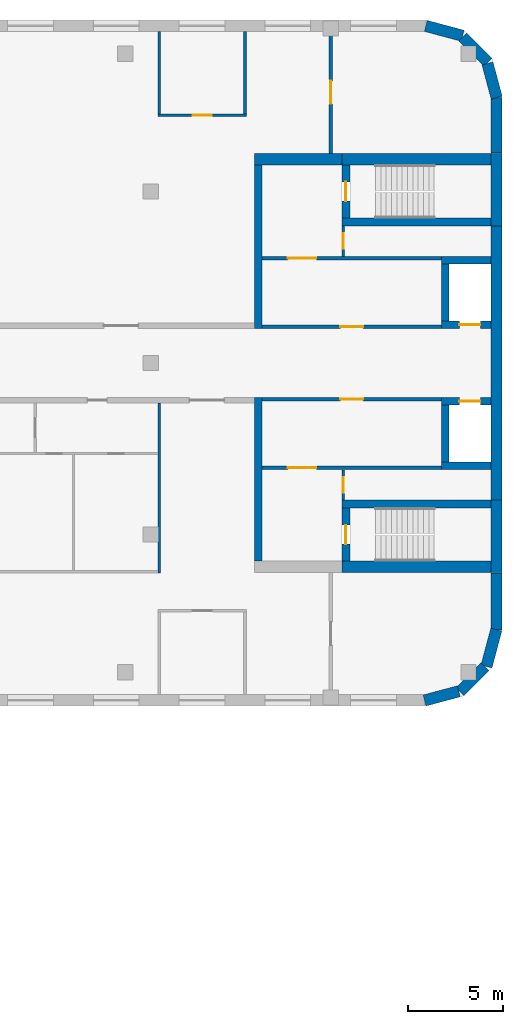
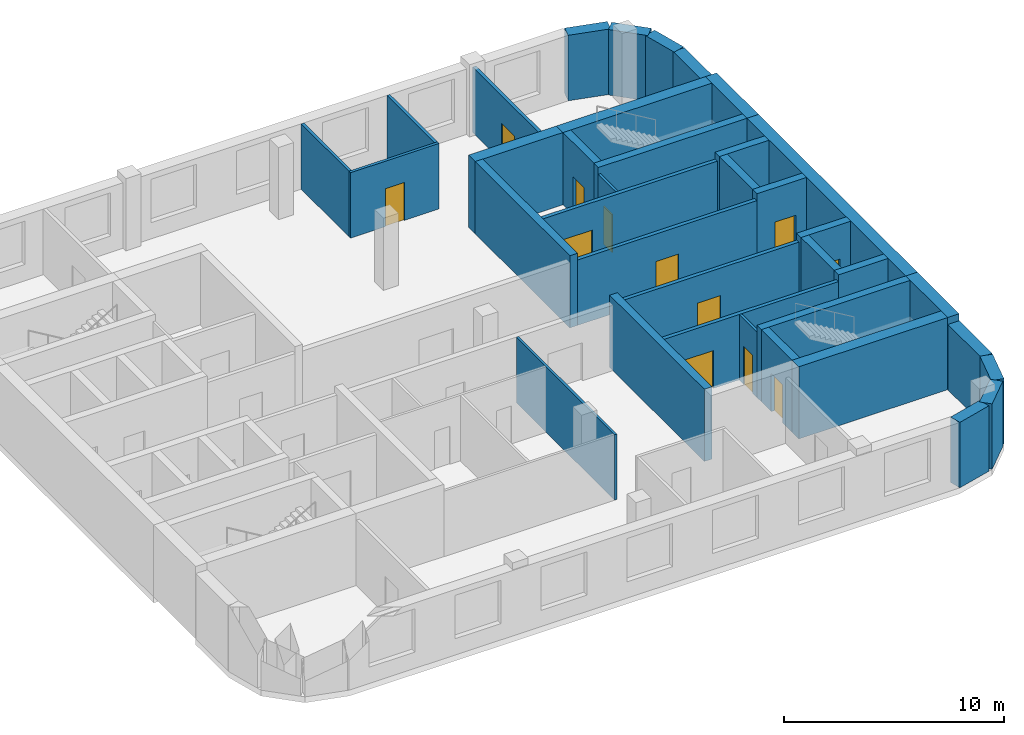
# One storey, part 9 of 12: 37 walls, 12 doors, 12 openings.
"""IFC4 building model written with IfcOpenShell, lengths in metres."""

from ifc_helpers import new_model, si_unit, direction, frame, frame_2d, origin, place, context, subcontext, project, spatial, rectangle, extrude, material, layer, layer_set, type_object, element, fill, save


model = new_model("IFC4")

# Units and contexts
model_context = context("Model", 3, precision=1e-05, world=origin(), true_north=direction((0.0, 1.0)))
body_context = subcontext(model_context, "Body", "Model", "MODEL_VIEW")
ifc_project = project(units=[si_unit("LENGTHUNIT", "METRE"), si_unit("AREAUNIT", "SQUARE_METRE"), si_unit("VOLUMEUNIT", "CUBIC_METRE"), si_unit("PLANEANGLEUNIT", "RADIAN"), si_unit("MASSUNIT", "GRAM", prefix="KILO")], contexts=[model_context])

# Site, building, storey
site_placement = place(None, origin())
site = spatial("IfcSite", under=ifc_project, at=site_placement, CompositionType="ELEMENT")
building_placement = place(site_placement, origin())
building = spatial("IfcBuilding", under=site, at=building_placement, Name="Skarvind Civic Tower", CompositionType="ELEMENT")
storey_placement = place(building_placement, frame((0.0, 0.0, 39.5)))
storey = spatial("IfcBuildingStorey", under=building, at=storey_placement, Name="L08", CompositionType="ELEMENT", Elevation=39.5)

# Wall, opening, door
ifc_material_1 = material(Name="Acoustic gypsum board on steel studs", Category="steel")
ifc_layer_1 = layer(ifc_material_1, 0.175048828125)
ifc_layer_set_1 = layer_set([ifc_layer_1], Name="ACOUSTIC MEETING-ROOM PARTITION 175")
wall_type_1 = type_object("IfcWallType", Name="ACOUSTIC MEETING-ROOM PARTITION 175", PredefinedType="PARTITIONING", material=ifc_layer_set_1)
wall_1_placement = place(storey_placement, frame((158.0, 139.0, 0.0), z_axis=(0.0, 0.0, 1.0), x_axis=(0.0, 1.0, 0.0)))
wall_1 = element("IfcWall", 1, at=wall_1_placement, inside=storey, type_object=wall_type_1, Name="Partition 08.017", PredefinedType="PARTITIONING", context=body_context, shape_type="SweptSolid", body=[
    extrude(rectangle(XDim=6.39990234375, YDim=0.175048828125, at=frame_2d((3.199951171875, 0.0))), origin(), (0.0, 0.0, 1.0), 3.625),
])
opening_1_placement = place(wall_1_placement, frame((2.60009765625, 0.0, 0.0)))
opening_1 = element("IfcOpeningElement", 2, at=opening_1_placement, cuts=wall_1, Name="Opening L08-D104", PredefinedType="OPENING", context=body_context, shape_type="SweptSolid", body=[
    extrude(rectangle(XDim=1.199951171875, YDim=2.10009765625, at=frame_2d((0.60009765625, 1.050048828125))), frame((0.0, 0.097412109375, 0.0), z_axis=(0.0, -1.0, 0.0), x_axis=(1.0, 0.0, 0.0)), (0.0, 0.0, 1.0), 0.195068359375),
])
ifc_material_2 = material(Name="Timber door leaf", Category="wood")
door_type_1 = type_object("IfcDoorType", Name="DOOR 1200X2100 DOUBLE TIMBER", OperationType="NOTDEFINED", PredefinedType="DOOR", material=ifc_material_2)
door_1_placement = place(opening_1_placement, origin())
door_1 = element("IfcDoor", 3, at=door_1_placement, inside=storey, type_object=door_type_1, Name="Door L08-D104", OperationType="DOUBLE_DOOR_SINGLE_SWING", OverallHeight=2.10009765625, OverallWidth=1.199951171875, PredefinedType="DOOR", context=body_context, shape_type="SweptSolid", body=[
    extrude(rectangle(XDim=1.199951171875, YDim=2.10009765625, at=frame_2d((0.60009765625, 1.050048828125))), frame((0.0, 0.02490234375, 0.0), z_axis=(0.0, -1.0, 0.0), x_axis=(1.0, 0.0, 0.0)), (0.0, 0.0, 1.0), 0.050048828125),
])
fill(opening_1, door_1)

ifc_material_3 = material(Name="Fire-rated masonry partition", Category="masonry")
ifc_layer_2 = layer(ifc_material_3, 0.199951171875)
ifc_layer_set_2 = layer_set([ifc_layer_2], Name="Core enclosure wall 200")
wall_type_2 = type_object("IfcWallType", Name="Core enclosure wall 200", PredefinedType="PARTITIONING", material=ifc_layer_set_2)
wall_2_placement = place(storey_placement, frame((163.800048828125, 126.10009765625, 0.0), z_axis=(0.0, 0.0, 1.0), x_axis=(-1.0, 0.0, 0.0)))
wall_2 = element("IfcWall", 4, at=wall_2_placement, inside=storey, type_object=wall_type_2, Name="Core wall CB", PredefinedType="PARTITIONING", context=body_context, shape_type="SweptSolid", body=[
    extrude(rectangle(XDim=9.400146484375, YDim=0.199951171875, at=frame_2d((4.7001953125, 0.0))), origin(), (0.0, 0.0, 1.0), 3.625),
])
opening_2_placement = place(wall_2_placement, frame((4.10009765625, 0.0, 0.0)))
opening_2 = element("IfcOpeningElement", 5, at=opening_2_placement, cuts=wall_2, Name="Opening D-L08-CB-03", PredefinedType="OPENING", context=body_context, shape_type="SweptSolid", body=[
    extrude(rectangle(XDim=1.199951171875, YDim=2.10009765625, at=frame_2d((0.60009765625, 1.050048828125))), frame((0.0, 0.10986328125, 0.0), z_axis=(0.0, -1.0, 0.0), x_axis=(1.0, 0.0, 0.0)), (0.0, 0.0, 1.0), 0.219970703125),
])
ifc_material_4 = material(Name="Fire-rated steel door", Category="steel")
door_type_2 = type_object("IfcDoorType", Name="Core lobby door 1200", OperationType="NOTDEFINED", PredefinedType="DOOR", material=ifc_material_4)
door_2_placement = place(opening_2_placement, origin())
door_2 = element("IfcDoor", 6, at=door_2_placement, inside=storey, type_object=door_type_2, Name="Fire door", OperationType="DOUBLE_DOOR_SINGLE_SWING", OverallHeight=2.10009765625, OverallWidth=1.199951171875, PredefinedType="DOOR", context=body_context, shape_type="SweptSolid", body=[
    extrude(rectangle(XDim=1.199951171875, YDim=2.10009765625, at=frame_2d((0.60009765625, 1.050048828125))), frame((0.0, 0.02490234375, 0.0), z_axis=(0.0, -1.0, 0.0), x_axis=(1.0, 0.0, 0.0)), (0.0, 0.0, 1.0), 0.050048828125),
])
fill(opening_2, door_2)

wall_3_placement = place(storey_placement, frame((163.800048828125, 122.5, 0.0), z_axis=(0.0, 0.0, 1.0), x_axis=(-1.0, 0.0, 0.0)))
wall_3 = element("IfcWall", 7, at=wall_3_placement, inside=storey, type_object=wall_type_2, Name="Core wall CB", PredefinedType="PARTITIONING", context=body_context, shape_type="SweptSolid", body=[
    extrude(rectangle(XDim=9.400146484375, YDim=0.199951171875, at=frame_2d((4.7001953125, 0.0))), origin(), (0.0, 0.0, 1.0), 3.625),
])
opening_3_placement = place(wall_3_placement, frame((6.550048828125, 0.0, 0.0)))
opening_3 = element("IfcOpeningElement", 8, at=opening_3_placement, cuts=wall_3, Name="Opening D-L08-CB-04", PredefinedType="OPENING", context=body_context, shape_type="SweptSolid", body=[
    extrude(rectangle(XDim=1.5, YDim=2.10009765625, at=frame_2d((0.75, 1.050048828125))), frame((0.0, 0.10986328125, 0.0), z_axis=(0.0, -1.0, 0.0), x_axis=(1.0, 0.0, 0.0)), (0.0, 0.0, 1.0), 0.219970703125),
])
door_type_3 = type_object("IfcDoorType", Name="Fire door 1500", OperationType="NOTDEFINED", PredefinedType="DOOR", material=ifc_material_4)
door_3_placement = place(opening_3_placement, origin())
door_3 = element("IfcDoor", 9, at=door_3_placement, inside=storey, type_object=door_type_3, Name="Fire door", OperationType="DOUBLE_DOOR_SINGLE_SWING", OverallHeight=2.10009765625, OverallWidth=1.5, PredefinedType="DOOR", context=body_context, shape_type="SweptSolid", body=[
    extrude(rectangle(XDim=1.5, YDim=2.10009765625, at=frame_2d((0.75, 1.050048828125))), frame((0.0, 0.02490234375, 0.0), z_axis=(0.0, -1.0, 0.0), x_axis=(1.0, 0.0, 0.0)), (0.0, 0.0, 1.0), 0.050048828125),
])
fill(opening_3, door_3)

wall_4_placement = place(storey_placement, frame((154.39990234375, 129.89990234375, 0.0), z_axis=(0.0, 0.0, 1.0), x_axis=(1.0, 0.0, 0.0)))
wall_4 = element("IfcWall", 10, at=wall_4_placement, inside=storey, type_object=wall_type_2, Name="Core wall CB", PredefinedType="PARTITIONING", context=body_context, shape_type="SweptSolid", body=[
    extrude(rectangle(XDim=9.400146484375, YDim=0.199951171875, at=frame_2d((4.7001953125, 0.0))), origin(), (0.0, 0.0, 1.0), 3.625),
])
opening_4_placement = place(wall_4_placement, frame((4.10009765625, 0.0, 0.0)))
opening_4 = element("IfcOpeningElement", 11, at=opening_4_placement, cuts=wall_4, Name="Opening D-L08-CB-07", PredefinedType="OPENING", context=body_context, shape_type="SweptSolid", body=[
    extrude(rectangle(XDim=1.199951171875, YDim=2.10009765625, at=frame_2d((0.60009765625, 1.050048828125))), frame((0.0, 0.10986328125, 0.0), z_axis=(0.0, -1.0, 0.0), x_axis=(1.0, 0.0, 0.0)), (0.0, 0.0, 1.0), 0.219970703125),
])
door_4_placement = place(opening_4_placement, origin())
door_4 = element("IfcDoor", 12, at=door_4_placement, inside=storey, type_object=door_type_2, Name="Fire door", OperationType="DOUBLE_DOOR_SINGLE_SWING", OverallHeight=2.10009765625, OverallWidth=1.199951171875, PredefinedType="DOOR", context=body_context, shape_type="SweptSolid", body=[
    extrude(rectangle(XDim=1.199951171875, YDim=2.10009765625, at=frame_2d((0.60009765625, 1.050048828125))), frame((0.0, 0.02490234375, 0.0), z_axis=(0.0, -1.0, 0.0), x_axis=(1.0, 0.0, 0.0)), (0.0, 0.0, 1.0), 0.050048828125),
])
fill(opening_4, door_4)

wall_5_placement = place(storey_placement, frame((154.39990234375, 133.5, 0.0), z_axis=(0.0, 0.0, 1.0), x_axis=(1.0, 0.0, 0.0)))
wall_5 = element("IfcWall", 13, at=wall_5_placement, inside=storey, type_object=wall_type_2, Name="Core wall CB", PredefinedType="PARTITIONING", context=body_context, shape_type="SweptSolid", body=[
    extrude(rectangle(XDim=9.400146484375, YDim=0.199951171875, at=frame_2d((4.7001953125, 0.0))), origin(), (0.0, 0.0, 1.0), 3.625),
])
opening_5_placement = place(wall_5_placement, frame((1.35009765625, 0.0, 0.0)))
opening_5 = element("IfcOpeningElement", 14, at=opening_5_placement, cuts=wall_5, Name="Opening D-L08-CB-08", PredefinedType="OPENING", context=body_context, shape_type="SweptSolid", body=[
    extrude(rectangle(XDim=1.5, YDim=2.10009765625, at=frame_2d((0.75, 1.050048828125))), frame((0.0, 0.10986328125, 0.0), z_axis=(0.0, -1.0, 0.0), x_axis=(1.0, 0.0, 0.0)), (0.0, 0.0, 1.0), 0.219970703125),
])
door_5_placement = place(opening_5_placement, origin())
door_5 = element("IfcDoor", 15, at=door_5_placement, inside=storey, type_object=door_type_3, Name="Fire door", OperationType="DOUBLE_DOOR_SINGLE_SWING", OverallHeight=2.10009765625, OverallWidth=1.5, PredefinedType="DOOR", context=body_context, shape_type="SweptSolid", body=[
    extrude(rectangle(XDim=1.5, YDim=2.10009765625, at=frame_2d((0.75, 1.050048828125))), frame((0.0, 0.02490234375, 0.0), z_axis=(0.0, -1.0, 0.0), x_axis=(1.0, 0.0, 0.0)), (0.0, 0.0, 1.0), 0.050048828125),
])
fill(opening_5, door_5)

# Wall
ifc_material_5 = material(Name="Concrete C80", Category="concrete")
ifc_layer_3 = layer(ifc_material_5, 0.39990234375)
ifc_layer_set_3 = layer_set([ifc_layer_3], Name="Core wall 400 C80")
wall_type_3 = type_object("IfcWallType", Name="Core wall 400 C80", PredefinedType="SHEAR", material=ifc_layer_set_3)
wall_6_placement = place(storey_placement, frame((166.39990234375, 135.39990234375, 0.0), z_axis=(0.0, 0.0, 1.0), x_axis=(-1.0, 0.0, 0.0)))
element("IfcWall", 16, at=wall_6_placement, inside=storey, type_object=wall_type_3, Name="Core wall CB south stair inner L08", PredefinedType="SHEAR", context=body_context, shape_type="SweptSolid", body=[
    extrude(rectangle(XDim=7.7998046875, YDim=0.39990234375, at=frame_2d((3.89990234375, 0.0))), origin(), (0.0, 0.0, 1.0), 4.0),
])

# Wall, opening, door
wall_7_placement = place(storey_placement, frame((158.800048828125, 138.39990234375, 0.0), z_axis=(0.0, 0.0, 1.0), x_axis=(0.0, -1.0, 0.0)))
wall_7 = element("IfcWall", 17, at=wall_7_placement, inside=storey, type_object=wall_type_3, Name="Core wall CB south stair end L08", PredefinedType="SHEAR", context=body_context, shape_type="SweptSolid", body=[
    extrude(rectangle(XDim=2.7998046875, YDim=0.39990234375, at=frame_2d((1.39990234375, 0.0))), origin(), (0.0, 0.0, 1.0), 4.0),
])
opening_6_placement = place(wall_7_placement, frame((0.89990234375, 0.0, 0.0)))
opening_6 = element("IfcOpeningElement", 18, at=opening_6_placement, cuts=wall_7, Name="Opening D-L08-CB-09", PredefinedType="OPENING", context=body_context, shape_type="SweptSolid", body=[
    extrude(rectangle(XDim=1.0, YDim=2.10009765625, at=frame_2d((0.5, 1.050048828125))), frame((0.0, 0.2099609375, 0.0), z_axis=(0.0, -1.0, 0.0), x_axis=(1.0, 0.0, 0.0)), (0.0, 0.0, 1.0), 0.419921875),
])
door_type_4 = type_object("IfcDoorType", Name="Fire door 1000", OperationType="NOTDEFINED", PredefinedType="DOOR", material=ifc_material_4)
door_6_placement = place(opening_6_placement, origin())
door_6 = element("IfcDoor", 19, at=door_6_placement, inside=storey, type_object=door_type_4, Name="Fire door", OperationType="SINGLE_SWING_RIGHT", OverallHeight=2.10009765625, OverallWidth=1.0, PredefinedType="DOOR", context=body_context, shape_type="SweptSolid", body=[
    extrude(rectangle(XDim=1.0, YDim=2.10009765625, at=frame_2d((0.5, 1.050048828125))), frame((0.0, 0.02490234375, 0.0), z_axis=(0.0, -1.0, 0.0), x_axis=(1.0, 0.0, 0.0)), (0.0, 0.0, 1.0), 0.050048828125),
])
fill(opening_6, door_6)

# Wall
wall_8_placement = place(storey_placement, frame((166.39990234375, 120.60009765625, 0.0), z_axis=(0.0, 0.0, 1.0), x_axis=(-1.0, 0.0, 0.0)))
element("IfcWall", 20, at=wall_8_placement, inside=storey, type_object=wall_type_3, Name="Core wall CB north stair inner L08", PredefinedType="SHEAR", context=body_context, shape_type="SweptSolid", body=[
    extrude(rectangle(XDim=7.7998046875, YDim=0.39990234375, at=frame_2d((3.89990234375, 0.0))), origin(), (0.0, 0.0, 1.0), 4.0),
])

# Wall, opening, door
wall_9_placement = place(storey_placement, frame((158.800048828125, 120.39990234375, 0.0), z_axis=(0.0, 0.0, 1.0), x_axis=(0.0, -1.0, 0.0)))
wall_9 = element("IfcWall", 21, at=wall_9_placement, inside=storey, type_object=wall_type_3, Name="Core wall CB north stair end L08", PredefinedType="SHEAR", context=body_context, shape_type="SweptSolid", body=[
    extrude(rectangle(XDim=2.7998046875, YDim=0.39990234375, at=frame_2d((1.39990234375, 0.0))), origin(), (0.0, 0.0, 1.0), 4.0),
])
opening_7_placement = place(wall_9_placement, frame((0.89990234375, 0.0, 0.0)))
opening_7 = element("IfcOpeningElement", 22, at=opening_7_placement, cuts=wall_9, Name="Opening D-L08-CB-05", PredefinedType="OPENING", context=body_context, shape_type="SweptSolid", body=[
    extrude(rectangle(XDim=1.0, YDim=2.10009765625, at=frame_2d((0.5, 1.050048828125))), frame((0.0, 0.2099609375, 0.0), z_axis=(0.0, -1.0, 0.0), x_axis=(1.0, 0.0, 0.0)), (0.0, 0.0, 1.0), 0.419921875),
])
door_7_placement = place(opening_7_placement, origin())
door_7 = element("IfcDoor", 23, at=door_7_placement, inside=storey, type_object=door_type_4, Name="Fire door", OperationType="SINGLE_SWING_LEFT", OverallHeight=2.10009765625, OverallWidth=1.0, PredefinedType="DOOR", context=body_context, shape_type="SweptSolid", body=[
    extrude(rectangle(XDim=1.0, YDim=2.10009765625, at=frame_2d((0.5, 1.050048828125))), frame((0.0, 0.02490234375, 0.0), z_axis=(0.0, -1.0, 0.0), x_axis=(1.0, 0.0, 0.0)), (0.0, 0.0, 1.0), 0.050048828125),
])
fill(opening_7, door_7)

wall_10_placement = place(storey_placement, frame((166.39990234375, 130.0, 0.0), z_axis=(0.0, 0.0, 1.0), x_axis=(-1.0, 0.0, 0.0)))
wall_10 = element("IfcWall", 24, at=wall_10_placement, inside=storey, type_object=wall_type_3, Name="Core wall CB south lift row front L08", PredefinedType="SHEAR", context=body_context, shape_type="SweptSolid", body=[
    extrude(rectangle(XDim=2.599853515625, YDim=0.39990234375, at=frame_2d((1.2998046875, 0.0))), origin(), (0.0, 0.0, 1.0), 4.0),
])
opening_8_placement = place(wall_10_placement, frame((0.550048828125, 0.0, 0.0)))
opening_8 = element("IfcOpeningElement", 25, at=opening_8_placement, cuts=wall_10, Name="Opening LD10402", PredefinedType="OPENING", context=body_context, shape_type="SweptSolid", body=[
    extrude(rectangle(XDim=1.10009765625, YDim=2.10009765625, at=frame_2d((0.550048828125, 1.050048828125))), frame((0.0, 0.2099609375, 0.0), z_axis=(0.0, -1.0, 0.0), x_axis=(1.0, 0.0, 0.0)), (0.0, 0.0, 1.0), 0.419921875),
])
ifc_material_6 = material(Name="Stainless steel landing door", Category="steel")
door_type_5 = type_object("IfcDoorType", Name="Lift landing door 1100", OperationType="DOUBLE_DOOR_SLIDING", PredefinedType="DOOR", material=ifc_material_6)
door_8_placement = place(opening_8_placement, origin())
door_8 = element("IfcDoor", 26, at=door_8_placement, inside=storey, type_object=door_type_5, Name="Lift landing door", OperationType="DOUBLE_DOOR_SLIDING", OverallHeight=2.10009765625, OverallWidth=1.10009765625, PredefinedType="DOOR", context=body_context, shape_type="SweptSolid", body=[
    extrude(rectangle(XDim=1.10009765625, YDim=2.10009765625, at=frame_2d((0.550048828125, 1.050048828125))), frame((0.0, 0.02490234375, 0.0), z_axis=(0.0, -1.0, 0.0), x_axis=(1.0, 0.0, 0.0)), (0.0, 0.0, 1.0), 0.050048828125),
])
fill(opening_8, door_8)

# Walls
wall_11_placement = place(storey_placement, frame((166.39990234375, 133.39990234375, 0.0), z_axis=(0.0, 0.0, 1.0), x_axis=(-1.0, 0.0, 0.0)))
element("IfcWall", 27, at=wall_11_placement, inside=storey, type_object=wall_type_3, Name="Core wall CB south lift row back L08", PredefinedType="SHEAR", context=body_context, shape_type="SweptSolid", body=[
    extrude(rectangle(XDim=2.599853515625, YDim=0.39990234375, at=frame_2d((1.2998046875, 0.0))), origin(), (0.0, 0.0, 1.0), 4.0),
])
wall_12_placement = place(storey_placement, frame((164.0, 133.199951171875, 0.0), z_axis=(0.0, 0.0, 1.0), x_axis=(0.0, -1.0, 0.0)))
element("IfcWall", 28, at=wall_12_placement, inside=storey, type_object=wall_type_3, Name="Core wall CB south lift row division 1 L08", PredefinedType="SHEAR", context=body_context, shape_type="SweptSolid", body=[
    extrude(rectangle(XDim=3.0, YDim=0.39990234375, at=frame_2d((1.5, 0.0))), origin(), (0.0, 0.0, 1.0), 4.0),
])

# Wall, opening, door
wall_13_placement = place(storey_placement, frame((166.39990234375, 126.0, 0.0), z_axis=(0.0, 0.0, 1.0), x_axis=(-1.0, 0.0, 0.0)))
wall_13 = element("IfcWall", 29, at=wall_13_placement, inside=storey, type_object=wall_type_3, Name="Core wall CB north lift row front L08", PredefinedType="SHEAR", context=body_context, shape_type="SweptSolid", body=[
    extrude(rectangle(XDim=2.599853515625, YDim=0.39990234375, at=frame_2d((1.2998046875, 0.0))), origin(), (0.0, 0.0, 1.0), 4.0),
])
opening_9_placement = place(wall_13_placement, frame((0.550048828125, 0.0, 0.0)))
opening_9 = element("IfcOpeningElement", 30, at=opening_9_placement, cuts=wall_13, Name="Opening LD10401", PredefinedType="OPENING", context=body_context, shape_type="SweptSolid", body=[
    extrude(rectangle(XDim=1.10009765625, YDim=2.10009765625, at=frame_2d((0.550048828125, 1.050048828125))), frame((0.0, 0.2099609375, 0.0), z_axis=(0.0, -1.0, 0.0), x_axis=(1.0, 0.0, 0.0)), (0.0, 0.0, 1.0), 0.419921875),
])
door_9_placement = place(opening_9_placement, origin())
door_9 = element("IfcDoor", 31, at=door_9_placement, inside=storey, type_object=door_type_5, Name="Lift landing door", OperationType="DOUBLE_DOOR_SLIDING", OverallHeight=2.10009765625, OverallWidth=1.10009765625, PredefinedType="DOOR", context=body_context, shape_type="SweptSolid", body=[
    extrude(rectangle(XDim=1.10009765625, YDim=2.10009765625, at=frame_2d((0.550048828125, 1.050048828125))), frame((0.0, 0.02490234375, 0.0), z_axis=(0.0, -1.0, 0.0), x_axis=(1.0, 0.0, 0.0)), (0.0, 0.0, 1.0), 0.050048828125),
])
fill(opening_9, door_9)

# Walls
wall_14_placement = place(storey_placement, frame((166.39990234375, 122.60009765625, 0.0), z_axis=(0.0, 0.0, 1.0), x_axis=(-1.0, 0.0, 0.0)))
element("IfcWall", 32, at=wall_14_placement, inside=storey, type_object=wall_type_3, Name="Core wall CB north lift row back L08", PredefinedType="SHEAR", context=body_context, shape_type="SweptSolid", body=[
    extrude(rectangle(XDim=2.599853515625, YDim=0.39990234375, at=frame_2d((1.2998046875, 0.0))), origin(), (0.0, 0.0, 1.0), 4.0),
])
wall_15_placement = place(storey_placement, frame((164.0, 125.800048828125, 0.0), z_axis=(0.0, 0.0, 1.0), x_axis=(0.0, -1.0, 0.0)))
element("IfcWall", 33, at=wall_15_placement, inside=storey, type_object=wall_type_3, Name="Core wall CB north lift row division 1 L08", PredefinedType="SHEAR", context=body_context, shape_type="SweptSolid", body=[
    extrude(rectangle(XDim=3.0, YDim=0.39990234375, at=frame_2d((1.5, 0.0))), origin(), (0.0, 0.0, 1.0), 4.0),
])
for number, where, z_axis, x_axis, name in (
    (34, (154.199951171875, 138.39990234375, 0.0), (0.0, 0.0, 1.0), (0.0, -1.0, 0.0), "Core wall CB south inner face L08"),
    (35, (154.199951171875, 126.199951171875, 0.0), (0.0, 0.0, 1.0), (0.0, -1.0, 0.0), "Core wall CB north inner face L08"),
):
    element("IfcWall", number, at=place(storey_placement, frame(where, z_axis=z_axis, x_axis=x_axis)), inside=storey, type_object=wall_type_3, Name=name, PredefinedType="SHEAR", context=body_context, shape_type="SweptSolid", body=[
        extrude(rectangle(XDim=8.599853515625, YDim=0.39990234375, at=frame_2d((4.2998046875, 0.0))), origin(), (0.0, 0.0, 1.0), 4.0),
    ])
ifc_layer_4 = layer(ifc_material_5, 0.60009765625)
ifc_layer_set_4 = layer_set([ifc_layer_4], Name="Core wall 600 C80")
wall_type_4 = type_object("IfcWallType", Name="Core wall 600 C80", PredefinedType="SHEAR", material=ifc_layer_set_4)
wall_16_placement = place(storey_placement, frame((166.699951171875, 139.0, 0.0), z_axis=(0.0, 0.0, 1.0), x_axis=(0.0, -1.0, 0.0)))
element("IfcWall", 36, at=wall_16_placement, inside=storey, type_object=wall_type_4, Name="Core wall CB tip at the south stair L08", PredefinedType="SHEAR", context=body_context, shape_type="SweptSolid", body=[
    extrude(rectangle(XDim=3.800048828125, YDim=0.60009765625, at=frame_2d((1.89990234375, 0.0))), origin(), (0.0, 0.0, 1.0), 4.0),
])
wall_17_placement = place(storey_placement, frame((166.699951171875, 135.199951171875, 0.0), z_axis=(0.0, 0.0, 1.0), x_axis=(0.0, -1.0, 0.0)))
element("IfcWall", 37, at=wall_17_placement, inside=storey, type_object=wall_type_4, Name="Core wall CB tip between the stairs L08", PredefinedType="SHEAR", context=body_context, shape_type="SweptSolid", body=[
    extrude(rectangle(XDim=14.39990234375, YDim=0.60009765625, at=frame_2d((7.199951171875, 0.0))), origin(), (0.0, 0.0, 1.0), 4.0),
])
wall_18_placement = place(storey_placement, frame((166.699951171875, 120.800048828125, 0.0), z_axis=(0.0, 0.0, 1.0), x_axis=(0.0, -1.0, 0.0)))
element("IfcWall", 38, at=wall_18_placement, inside=storey, type_object=wall_type_4, Name="Core wall CB tip at the north stair L08", PredefinedType="SHEAR", context=body_context, shape_type="SweptSolid", body=[
    extrude(rectangle(XDim=3.800048828125, YDim=0.60009765625, at=frame_2d((1.89990234375, 0.0))), origin(), (0.0, 0.0, 1.0), 4.0),
])
for number, where, z_axis, x_axis, name in (
    (39, (166.39990234375, 138.699951171875, 0.0), (0.0, 0.0, 1.0), (-1.0, 0.0, 0.0), "Core wall CB south side at the stair L08"),
    (40, (166.39990234375, 117.300048828125, 0.0), (0.0, 0.0, 1.0), (-1.0, 0.0, 0.0), "Core wall CB north side at the stair L08"),
):
    element("IfcWall", number, at=place(storey_placement, frame(where, z_axis=z_axis, x_axis=x_axis)), inside=storey, type_object=wall_type_4, Name=name, PredefinedType="SHEAR", context=body_context, shape_type="SweptSolid", body=[
        extrude(rectangle(XDim=7.7998046875, YDim=0.60009765625, at=frame_2d((3.89990234375, 0.0))), origin(), (0.0, 0.0, 1.0), 4.0),
    ])
wall_19_placement = place(storey_placement, frame((158.60009765625, 138.699951171875, 0.0), z_axis=(0.0, 0.0, 1.0), x_axis=(-1.0, 0.0, 0.0)))
element("IfcWall", 41, at=wall_19_placement, inside=storey, type_object=wall_type_4, Name="Core wall CB south side L08", PredefinedType="SHEAR", context=body_context, shape_type="SweptSolid", body=[
    extrude(rectangle(XDim=4.60009765625, YDim=0.60009765625, at=frame_2d((2.300048828125, 0.0))), origin(), (0.0, 0.0, 1.0), 4.0),
])
ifc_material_7 = material(Name="Plasterboard partition on steel studs", Category="steel")
ifc_layer_5 = layer(ifc_material_7, 0.14990234375)
ifc_layer_set_5 = layer_set([ifc_layer_5], Name="PARTITION 150")
wall_type_5 = type_object("IfcWallType", Name="PARTITION 150", PredefinedType="PARTITIONING", material=ifc_layer_set_5)
wall_20_placement = place(storey_placement, frame((149.0, 141.074951171875, 0.0), z_axis=(0.0, 0.0, 1.0), x_axis=(0.0, 1.0, 0.0)))
element("IfcWall", 42, at=wall_20_placement, inside=storey, type_object=wall_type_5, Name="Partition 08.011", PredefinedType="PARTITIONING", context=body_context, shape_type="SweptSolid", body=[
    extrude(rectangle(XDim=4.324951171875, YDim=0.14990234375, at=frame_2d((2.16259765625, 0.0))), origin(), (0.0, 0.0, 1.0), 3.625),
])

# Wall, opening, door
wall_21_placement = place(storey_placement, frame((153.574951171875, 141.0, 0.0), z_axis=(0.0, 0.0, 1.0), x_axis=(-1.0, 0.0, 0.0)))
wall_21 = element("IfcWall", 43, at=wall_21_placement, inside=storey, type_object=wall_type_5, Name="Partition 08.013", PredefinedType="PARTITIONING", context=body_context, shape_type="SweptSolid", body=[
    extrude(rectangle(XDim=4.64990234375, YDim=0.14990234375, at=frame_2d((2.324951171875, 0.0))), origin(), (0.0, 0.0, 1.0), 3.625),
])
opening_10_placement = place(wall_21_placement, frame((1.824951171875, 0.0, 0.0)))
opening_10 = element("IfcOpeningElement", 44, at=opening_10_placement, cuts=wall_21, Name="Opening L08-D102", PredefinedType="OPENING", context=body_context, shape_type="SweptSolid", body=[
    extrude(rectangle(XDim=1.0, YDim=2.10009765625, at=frame_2d((0.5, 1.050048828125))), frame((0.0, 0.0849609375, 0.0), z_axis=(0.0, -1.0, 0.0), x_axis=(1.0, 0.0, 0.0)), (0.0, 0.0, 1.0), 0.169921875),
])
door_type_6 = type_object("IfcDoorType", Name="D1 1000x2100", OperationType="NOTDEFINED", PredefinedType="DOOR", material=ifc_material_2)
door_10_placement = place(opening_10_placement, origin())
door_10 = element("IfcDoor", 45, at=door_10_placement, inside=storey, type_object=door_type_6, Name="Door L08-D102", OperationType="SINGLE_SWING_LEFT", OverallHeight=2.10009765625, OverallWidth=1.0, PredefinedType="DOOR", context=body_context, shape_type="SweptSolid", body=[
    extrude(rectangle(XDim=1.0, YDim=2.10009765625, at=frame_2d((0.5, 1.050048828125))), frame((0.0, 0.02490234375, 0.0), z_axis=(0.0, -1.0, 0.0), x_axis=(1.0, 0.0, 0.0)), (0.0, 0.0, 1.0), 0.050048828125),
])
fill(opening_10, door_10)

# Wall
wall_22_placement = place(storey_placement, frame((153.5, 145.39990234375, 0.0), z_axis=(0.0, 0.0, 1.0), x_axis=(0.0, -1.0, 0.0)))
element("IfcWall", 46, at=wall_22_placement, inside=storey, type_object=wall_type_5, Name="Partition 08.014", PredefinedType="PARTITIONING", context=body_context, shape_type="SweptSolid", body=[
    extrude(rectangle(XDim=4.324951171875, YDim=0.14990234375, at=frame_2d((2.16259765625, 0.0))), origin(), (0.0, 0.0, 1.0), 3.625),
])

# Wall, opening, door
ifc_layer_6 = layer(ifc_material_3, 0.125)
ifc_layer_set_6 = layer_set([ifc_layer_6], Name="Riser wall 125")
wall_type_6 = type_object("IfcWallType", Name="Riser wall 125", PredefinedType="PARTITIONING", material=ifc_layer_set_6)
wall_23_placement = place(storey_placement, frame((158.66259765625, 120.800048828125, 0.0), z_axis=(0.0, 0.0, 1.0), x_axis=(0.0, 1.0, 0.0)))
wall_23 = element("IfcWall", 47, at=wall_23_placement, inside=storey, type_object=wall_type_6, Name="Core wall CB", PredefinedType="PARTITIONING", context=body_context, shape_type="SweptSolid", body=[
    extrude(rectangle(XDim=1.599853515625, YDim=0.125, at=frame_2d((0.7998046875, 0.0))), origin(), (0.0, 0.0, 1.0), 3.625),
])
opening_11_placement = place(wall_23_placement, frame((0.39990234375, 0.0, 0.0)))
opening_11 = element("IfcOpeningElement", 48, at=opening_11_placement, cuts=wall_23, Name="Opening D-L08-CB-06", PredefinedType="OPENING", context=body_context, shape_type="SweptSolid", body=[
    extrude(rectangle(XDim=0.800048828125, YDim=2.10009765625, at=frame_2d((0.39990234375, 1.050048828125))), frame((0.0, 0.072509765625, 0.0), z_axis=(0.0, -1.0, 0.0), x_axis=(1.0, 0.0, 0.0)), (0.0, 0.0, 1.0), 0.14501953125),
])
door_type_7 = type_object("IfcDoorType", Name="Core riser door 800", OperationType="NOTDEFINED", PredefinedType="DOOR", material=ifc_material_4)
door_11_placement = place(opening_11_placement, origin())
door_11 = element("IfcDoor", 49, at=door_11_placement, inside=storey, type_object=door_type_7, Name="Riser door", OperationType="SINGLE_SWING_RIGHT", OverallHeight=2.10009765625, OverallWidth=0.800048828125, PredefinedType="DOOR", context=body_context, shape_type="SweptSolid", body=[
    extrude(rectangle(XDim=0.800048828125, YDim=2.10009765625, at=frame_2d((0.39990234375, 1.050048828125))), frame((0.0, 0.02490234375, 0.0), z_axis=(0.0, -1.0, 0.0), x_axis=(1.0, 0.0, 0.0)), (0.0, 0.0, 1.0), 0.050048828125),
])
fill(opening_11, door_11)

wall_24_placement = place(storey_placement, frame((158.66259765625, 133.60009765625, 0.0), z_axis=(0.0, 0.0, 1.0), x_axis=(0.0, 1.0, 0.0)))
wall_24 = element("IfcWall", 50, at=wall_24_placement, inside=storey, type_object=wall_type_6, Name="Core wall CB", PredefinedType="PARTITIONING", context=body_context, shape_type="SweptSolid", body=[
    extrude(rectangle(XDim=1.599853515625, YDim=0.125, at=frame_2d((0.7998046875, 0.0))), origin(), (0.0, 0.0, 1.0), 3.625),
])
opening_12_placement = place(wall_24_placement, frame((0.39990234375, 0.0, 0.0)))
opening_12 = element("IfcOpeningElement", 51, at=opening_12_placement, cuts=wall_24, Name="Opening D-L08-CB-10", PredefinedType="OPENING", context=body_context, shape_type="SweptSolid", body=[
    extrude(rectangle(XDim=0.800048828125, YDim=2.10009765625, at=frame_2d((0.39990234375, 1.050048828125))), frame((0.0, 0.072509765625, 0.0), z_axis=(0.0, -1.0, 0.0), x_axis=(1.0, 0.0, 0.0)), (0.0, 0.0, 1.0), 0.14501953125),
])
door_12_placement = place(opening_12_placement, origin())
door_12 = element("IfcDoor", 52, at=door_12_placement, inside=storey, type_object=door_type_7, Name="Riser door", OperationType="SINGLE_SWING_LEFT", OverallHeight=2.10009765625, OverallWidth=0.800048828125, PredefinedType="DOOR", context=body_context, shape_type="SweptSolid", body=[
    extrude(rectangle(XDim=0.800048828125, YDim=2.10009765625, at=frame_2d((0.39990234375, 1.050048828125))), frame((0.0, 0.02490234375, 0.0), z_axis=(0.0, -1.0, 0.0), x_axis=(1.0, 0.0, 0.0)), (0.0, 0.0, 1.0), 0.050048828125),
])
fill(opening_12, door_12)

# Walls
ifc_material_8 = material(Name="Moisture-resistant gypsum board on steel studs", Category="steel")
ifc_layer_7 = layer(ifc_material_8, 0.125)
ifc_layer_set_7 = layer_set([ifc_layer_7], Name="WC PARTITION 125")
wall_type_7 = type_object("IfcWallType", Name="WC PARTITION 125", PredefinedType="PARTITIONING", material=ifc_layer_set_7)
wall_25_placement = place(storey_placement, frame((149.0, 116.988037109375, 0.0), z_axis=(0.0, 0.0, 1.0), x_axis=(0.0, 1.0, 0.0)))
element("IfcWall", 53, at=wall_25_placement, inside=storey, type_object=wall_type_7, Name="Partition 08.010", PredefinedType="PARTITIONING", context=body_context, shape_type="SweptSolid", body=[
    extrude(rectangle(XDim=8.911865234375, YDim=0.125, at=frame_2d((4.4560546875, 0.0))), origin(), (0.0, 0.0, 1.0), 3.625),
])
ifc_material_9 = material(Name="Limestone masonry cladding on insulated backing", Category="masonry")
ifc_layer_8 = layer(ifc_material_9, 0.60009765625)
ifc_layer_set_8 = layer_set([ifc_layer_8], Name="WX1 STONE FACADE WALL 600")
wall_type_8 = type_object("IfcWallType", Name="WX1 STONE FACADE WALL 600", PredefinedType="SOLIDWALL", material=ifc_layer_set_8)
for number, where, z_axis, x_axis, name in (
    (54, (164.719482421875, 110.771240234375, 0.0), (0.0, 0.0, 1.0), (-0.965938094805, -0.258773254036, 0.0), "STONE FACADE WALL"),
    (55, (166.103515625, 112.063720703125, 0.0), (0.0, 0.0, 1.0), (-0.707106781187, -0.707106781187, 0.0), "STONE FACADE WALL"),
):
    element("IfcWall", number, at=place(storey_placement, frame(where, z_axis=z_axis, x_axis=x_axis)), inside=storey, type_object=wall_type_8, Name=name, PredefinedType="SOLIDWALL", context=body_context, shape_type="SweptSolid", body=[
        extrude(rectangle(XDim=1.860595703125, YDim=0.60009765625, at=frame_2d((0.93017578125, 0.0))), origin(), (0.0, 0.0, 1.0), 3.625),
    ])
wall_26_placement = place(storey_placement, frame((166.692138671875, 114.010009765625, 0.0), z_axis=(0.0, 0.0, 1.0), x_axis=(-0.258839784042, -0.965920269068, 0.0)))
element("IfcWall", 56, at=wall_26_placement, inside=storey, type_object=wall_type_8, Name="STONE FACADE WALL", PredefinedType="SOLIDWALL", context=body_context, shape_type="SweptSolid", body=[
    extrude(rectangle(XDim=2.00048828125, YDim=0.60009765625, at=frame_2d((1.000244140625, 0.0))), origin(), (0.0, 0.0, 1.0), 3.625),
])
wall_27_placement = place(storey_placement, frame((166.699951171875, 116.97998046875, 0.0), z_axis=(0.0, 0.0, 1.0), x_axis=(0.0, -1.0, 0.0)))
element("IfcWall", 57, at=wall_27_placement, inside=storey, type_object=wall_type_8, Name="STONE FACADE WALL", PredefinedType="SOLIDWALL", context=body_context, shape_type="SweptSolid", body=[
    extrude(rectangle(XDim=2.97998046875, YDim=0.60009765625, at=frame_2d((1.489990234375, 0.0))), origin(), (0.0, 0.0, 1.0), 3.625),
])
wall_28_placement = place(storey_placement, frame((166.699951171875, 141.929931640625, 0.0), z_axis=(0.0, 0.0, 1.0), x_axis=(0.0, -1.0, 0.0)))
element("IfcWall", 58, at=wall_28_placement, inside=storey, type_object=wall_type_8, Name="STONE FACADE WALL", PredefinedType="SOLIDWALL", context=body_context, shape_type="SweptSolid", body=[
    extrude(rectangle(XDim=2.909912109375, YDim=0.60009765625, at=frame_2d((1.455078125, 0.0))), origin(), (0.0, 0.0, 1.0), 3.625),
])
for number, where, z_axis, x_axis, name in (
    (59, (166.228759765625, 143.719482421875, 0.0), (0.0, 0.0, 1.0), (0.258773254036, -0.965938094805, 0.0), "STONE FACADE WALL"),
    (60, (164.936279296875, 145.103515625, 0.0), (0.0, 0.0, 1.0), (0.707106781187, -0.707106781187, 0.0), "STONE FACADE WALL"),
):
    element("IfcWall", number, at=place(storey_placement, frame(where, z_axis=z_axis, x_axis=x_axis)), inside=storey, type_object=wall_type_8, Name=name, PredefinedType="SOLIDWALL", context=body_context, shape_type="SweptSolid", body=[
        extrude(rectangle(XDim=1.860595703125, YDim=0.60009765625, at=frame_2d((0.93017578125, 0.0))), origin(), (0.0, 0.0, 1.0), 3.625),
    ])
wall_29_placement = place(storey_placement, frame((162.989990234375, 145.692138671875, 0.0), z_axis=(0.0, 0.0, 1.0), x_axis=(0.965920269068, -0.258839784042, 0.0)))
element("IfcWall", 61, at=wall_29_placement, inside=storey, type_object=wall_type_8, Name="STONE FACADE WALL", PredefinedType="SOLIDWALL", context=body_context, shape_type="SweptSolid", body=[
    extrude(rectangle(XDim=2.00048828125, YDim=0.60009765625, at=frame_2d((1.000244140625, 0.0))), origin(), (0.0, 0.0, 1.0), 3.625),
])

save(model, "model.ifc")
